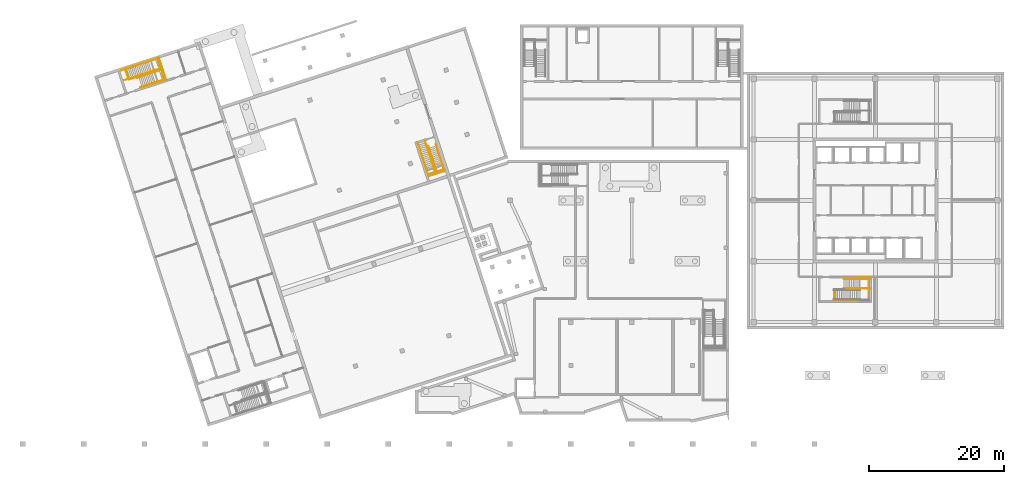
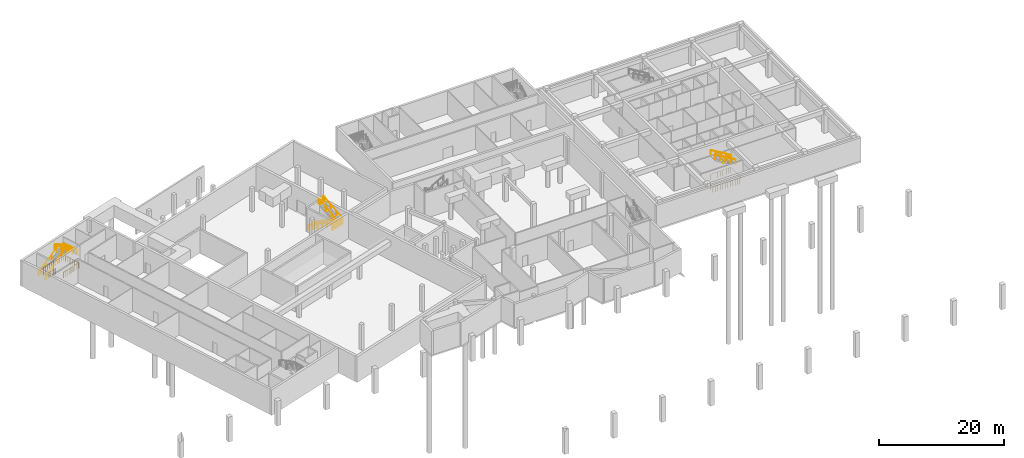
# One storey, part 13 of 15: 12 railings.
"""IFC4 building model written with IfcOpenShell, lengths in metres."""

from ifc_helpers import new_model, si_unit, direction, frame, origin, origin_2d, place, context, subcontext, project, spatial, circle, extrude, material, type_object, element, save


model = new_model("IFC4")

# Units and contexts
model_context = context("Model", 3, precision=1e-05, world=origin(), true_north=direction((0.0, 1.0)))
body_context = subcontext(model_context, "Body", "Model", "MODEL_VIEW")
ifc_project = project(units=[si_unit("LENGTHUNIT", "METRE"), si_unit("AREAUNIT", "SQUARE_METRE"), si_unit("VOLUMEUNIT", "CUBIC_METRE"), si_unit("PLANEANGLEUNIT", "RADIAN"), si_unit("MASSUNIT", "GRAM", prefix="KILO")], contexts=[model_context])

# Site, building, storey
site_placement = place(None, origin())
site = spatial("IfcSite", under=ifc_project, at=site_placement, CompositionType="ELEMENT")
building_placement = place(site_placement, origin())
building = spatial("IfcBuilding", under=site, at=building_placement, Name="Tuart Plaza Theatre", CompositionType="ELEMENT")
storey_placement = place(building_placement, frame((0.0, 0.0, -5.0)))
storey = spatial("IfcBuildingStorey", under=building, at=storey_placement, Name="B1", CompositionType="ELEMENT", Elevation=-5.0)

# Railings
ifc_material_1 = material(Name="Steel Grade C350L0", Category="steel")
railing_type_1 = type_object("IfcRailingType", Name="RAILING Guard 1100", PredefinedType="GUARDRAIL", material=ifc_material_1)
railing_1_placement = place(storey_placement, frame((27.197265625, 91.79248046875, 0.0)))
element("IfcRailing", 1, at=railing_1_placement, inside=storey, type_object=railing_type_1, Name="GR19", PredefinedType="GUARDRAIL", context=body_context, shape_type="SweptSolid", body=[
    extrude(circle(Radius=0.02490234375, at=origin_2d()), frame((0.0, 0.0, 1.0751953125), z_axis=(-0.951570542877, -0.307430483083, 0.0), x_axis=(0.307430483083, -0.951570542877, 0.0)), (0.0, 0.0, 1.0), 0.050048828125),
    extrude(circle(Radius=0.02490234375, at=origin_2d()), frame((-0.047607421875, -0.015380859375, 1.0751953125), z_axis=(-0.310120496179, 0.950697258779, 0.0), x_axis=(-0.950697258779, -0.310120496179, 0.0)), (0.0, 0.0, 1.0), 0.048095703125),
    extrude(circle(Radius=0.02490234375, at=origin_2d()), frame((-0.0625, 0.0302734375, 1.0751953125), z_axis=(-0.9510439537, -0.309055655393, 0.0), x_axis=(0.309055655393, -0.9510439537, 0.0)), (0.0, 0.0, 1.0), 3.6298828125),
    extrude(circle(Radius=0.02490234375, at=origin_2d()), frame((-3.5146484375, -1.091552734375, 1.0751953125), z_axis=(-0.316227766017, 0.948683298051, 0.0), x_axis=(-0.948683298051, -0.316227766017, 0.0)), (0.0, 0.0, 1.0), 0.02001953125),
    extrude(circle(Radius=0.02001953125, at=origin_2d()), origin(), (0.0, 0.0, 1.0), 1.050048828125),
    extrude(circle(Radius=0.02001953125, at=origin_2d()), frame((-0.047607421875, -0.015380859375, 0.0)), (0.0, 0.0, 1.0), 1.050048828125),
    extrude(circle(Radius=0.02001953125, at=origin_2d()), frame((-0.0625, 0.0302734375, 0.0)), (0.0, 0.0, 1.0), 1.050048828125),
    extrude(circle(Radius=0.02001953125, at=origin_2d()), frame((-0.494140625, -0.10986328125, 0.0)), (0.0, 0.0, 1.0), 1.050048828125),
    extrude(circle(Radius=0.02001953125, at=origin_2d()), frame((-0.925537109375, -0.250244140625, 0.0)), (0.0, 0.0, 1.0), 1.050048828125),
    extrude(circle(Radius=0.02001953125, at=origin_2d()), frame((-1.35693359375, -0.390380859375, 0.0)), (0.0, 0.0, 1.0), 1.050048828125),
    extrude(circle(Radius=0.02001953125, at=origin_2d()), frame((-1.78857421875, -0.53076171875, 0.0)), (0.0, 0.0, 1.0), 1.050048828125),
    extrude(circle(Radius=0.02001953125, at=origin_2d()), frame((-2.22021484375, -0.6708984375, 0.0)), (0.0, 0.0, 1.0), 1.050048828125),
    extrude(circle(Radius=0.02001953125, at=origin_2d()), frame((-2.651611328125, -0.81103515625, 0.0)), (0.0, 0.0, 1.0), 1.050048828125),
    extrude(circle(Radius=0.02001953125, at=origin_2d()), frame((-3.0830078125, -0.951416015625, 0.0)), (0.0, 0.0, 1.0), 1.050048828125),
    extrude(circle(Radius=0.02001953125, at=origin_2d()), frame((-3.5146484375, -1.091552734375, 0.0)), (0.0, 0.0, 1.0), 1.050048828125),
    extrude(circle(Radius=0.02001953125, at=origin_2d()), frame((-3.52099609375, -1.072509765625, 0.0)), (0.0, 0.0, 1.0), 1.050048828125),
])
railing_2_placement = place(storey_placement, frame((23.15234375, 92.316162109375, 0.0)))
element("IfcRailing", 2, at=railing_2_placement, inside=storey, type_object=railing_type_1, Name="GR20", PredefinedType="GUARDRAIL", context=body_context, shape_type="SweptSolid", body=[
    extrude(circle(Radius=0.02490234375, at=origin_2d()), frame((0.0, 0.0, 1.0751953125), z_axis=(-0.951058297536, -0.309011512226, 0.0), x_axis=(0.309011512226, -0.951058297536, 0.0)), (0.0, 0.0, 1.0), 1.554931640625),
    extrude(circle(Radius=0.02490234375, at=origin_2d()), frame((-1.478759765625, -0.48046875, 1.0751953125), z_axis=(-0.309072690513, 0.95103841772, 0.0), x_axis=(-0.95103841772, -0.309072690513, 0.0)), (0.0, 0.0, 1.0), 1.650146484375),
    extrude(circle(Radius=0.02490234375, at=origin_2d()), frame((-1.98876953125, 1.0888671875, 1.0751953125), z_axis=(0.951050844106, 0.309034451034, 0.0), x_axis=(-0.309034451034, 0.951050844106, 0.0)), (0.0, 0.0, 1.0), 5.240234375),
    extrude(circle(Radius=0.02490234375, at=origin_2d()), frame((2.994873046875, 2.708251953125, 1.0751953125), z_axis=(0.308998348193, -0.951062574605, 0.0), x_axis=(0.951062574605, 0.308998348193, 0.0)), (0.0, 0.0, 1.0), 3.398193359375),
    extrude(circle(Radius=0.02001953125, at=origin_2d()), origin(), (0.0, 0.0, 1.0), 1.050048828125),
    extrude(circle(Radius=0.02001953125, at=origin_2d()), frame((-0.36962890625, -0.1201171875, 0.0)), (0.0, 0.0, 1.0), 1.050048828125),
    extrude(circle(Radius=0.02001953125, at=origin_2d()), frame((-0.7392578125, -0.240234375, 0.0)), (0.0, 0.0, 1.0), 1.050048828125),
    extrude(circle(Radius=0.02001953125, at=origin_2d()), frame((-1.109130859375, -0.3603515625, 0.0)), (0.0, 0.0, 1.0), 1.050048828125),
    extrude(circle(Radius=0.02001953125, at=origin_2d()), frame((-1.478759765625, -0.48046875, 0.0)), (0.0, 0.0, 1.0), 1.050048828125),
    extrude(circle(Radius=0.02001953125, at=origin_2d()), frame((-1.606201171875, -0.088134765625, 0.0)), (0.0, 0.0, 1.0), 1.050048828125),
    extrude(circle(Radius=0.02001953125, at=origin_2d()), frame((-1.73388671875, 0.30419921875, 0.0)), (0.0, 0.0, 1.0), 1.050048828125),
    extrude(circle(Radius=0.02001953125, at=origin_2d()), frame((-1.861328125, 0.696533203125, 0.0)), (0.0, 0.0, 1.0), 1.050048828125),
    extrude(circle(Radius=0.02001953125, at=origin_2d()), frame((-1.98876953125, 1.0888671875, 0.0)), (0.0, 0.0, 1.0), 1.050048828125),
    extrude(circle(Radius=0.02001953125, at=origin_2d()), frame((-1.53564453125, 1.236083984375, 0.0)), (0.0, 0.0, 1.0), 1.050048828125),
    extrude(circle(Radius=0.02001953125, at=origin_2d()), frame((-1.082763671875, 1.38330078125, 0.0)), (0.0, 0.0, 1.0), 1.050048828125),
    extrude(circle(Radius=0.02001953125, at=origin_2d()), frame((-0.629638671875, 1.530517578125, 0.0)), (0.0, 0.0, 1.0), 1.050048828125),
    extrude(circle(Radius=0.02001953125, at=origin_2d()), frame((-0.176513671875, 1.677734375, 0.0)), (0.0, 0.0, 1.0), 1.050048828125),
    extrude(circle(Radius=0.02001953125, at=origin_2d()), frame((0.276611328125, 1.824951171875, 0.0)), (0.0, 0.0, 1.0), 1.050048828125),
    extrude(circle(Radius=0.02001953125, at=origin_2d()), frame((0.7294921875, 1.97216796875, 0.0)), (0.0, 0.0, 1.0), 1.050048828125),
    extrude(circle(Radius=0.02001953125, at=origin_2d()), frame((1.1826171875, 2.119384765625, 0.0)), (0.0, 0.0, 1.0), 1.050048828125),
    extrude(circle(Radius=0.02001953125, at=origin_2d()), frame((1.6357421875, 2.2666015625, 0.0)), (0.0, 0.0, 1.0), 1.050048828125),
    extrude(circle(Radius=0.02001953125, at=origin_2d()), frame((2.0888671875, 2.413818359375, 0.0)), (0.0, 0.0, 1.0), 1.050048828125),
    extrude(circle(Radius=0.02001953125, at=origin_2d()), frame((2.541748046875, 2.56103515625, 0.0)), (0.0, 0.0, 1.0), 1.050048828125),
    extrude(circle(Radius=0.02001953125, at=origin_2d()), frame((2.994873046875, 2.708251953125, 0.0)), (0.0, 0.0, 1.0), 1.050048828125),
    extrude(circle(Radius=0.02001953125, at=origin_2d()), frame((3.144775390625, 2.24658203125, 0.0)), (0.0, 0.0, 1.0), 1.050048828125),
    extrude(circle(Radius=0.02001953125, at=origin_2d()), frame((3.294921875, 1.784912109375, 0.0)), (0.0, 0.0, 1.0), 1.050048828125),
    extrude(circle(Radius=0.02001953125, at=origin_2d()), frame((3.44482421875, 1.3232421875, 0.0)), (0.0, 0.0, 1.0), 1.050048828125),
    extrude(circle(Radius=0.02001953125, at=origin_2d()), frame((3.594970703125, 0.861328125, 0.0)), (0.0, 0.0, 1.0), 1.050048828125),
    extrude(circle(Radius=0.02001953125, at=origin_2d()), frame((3.744873046875, 0.399658203125, 0.0)), (0.0, 0.0, 1.0), 1.050048828125),
    extrude(circle(Radius=0.02001953125, at=origin_2d()), frame((3.89501953125, -0.06201171875, 0.0)), (0.0, 0.0, 1.0), 1.050048828125),
    extrude(circle(Radius=0.02001953125, at=origin_2d()), frame((4.044921875, -0.523681640625, 0.0)), (0.0, 0.0, 1.0), 1.050048828125),
])
railing_3_placement = place(storey_placement, frame((26.13671875, 94.894775390625, 2.5)))
element("IfcRailing", 3, at=railing_3_placement, inside=storey, type_object=railing_type_1, Name="GR24", PredefinedType="GUARDRAIL", context=body_context, shape_type="SweptSolid", body=[
    extrude(circle(Radius=0.02490234375, at=origin_2d()), frame((0.0, 0.0, 1.0751953125), z_axis=(0.308988441001, -0.951065793375, 0.0), x_axis=(0.951065793375, 0.308988441001, 0.0)), (0.0, 0.0, 1.0), 3.10986328125),
    extrude(circle(Radius=0.02001953125, at=origin_2d()), origin(), (0.0, 0.0, 1.0), 1.050048828125),
    extrude(circle(Radius=0.02001953125, at=origin_2d()), frame((0.13720703125, -0.422607421875, 0.0)), (0.0, 0.0, 1.0), 1.050048828125),
    extrude(circle(Radius=0.02001953125, at=origin_2d()), frame((0.274658203125, -0.844970703125, 0.0)), (0.0, 0.0, 1.0), 1.050048828125),
    extrude(circle(Radius=0.02001953125, at=origin_2d()), frame((0.411865234375, -1.267578125, 0.0)), (0.0, 0.0, 1.0), 1.050048828125),
    extrude(circle(Radius=0.02001953125, at=origin_2d()), frame((0.549072265625, -1.690185546875, 0.0)), (0.0, 0.0, 1.0), 1.050048828125),
    extrude(circle(Radius=0.02001953125, at=origin_2d()), frame((0.686279296875, -2.11279296875, 0.0)), (0.0, 0.0, 1.0), 1.050048828125),
    extrude(circle(Radius=0.02001953125, at=origin_2d()), frame((0.82373046875, -2.53515625, 0.0)), (0.0, 0.0, 1.0), 1.050048828125),
    extrude(circle(Radius=0.02001953125, at=origin_2d()), frame((0.9609375, -2.957763671875, 0.0)), (0.0, 0.0, 1.0), 1.050048828125),
])
railing_4_placement = place(storey_placement, frame((66.015380859375, 77.559326171875, 2.5)))
element("IfcRailing", 4, at=railing_4_placement, inside=storey, type_object=railing_type_1, Name="GR98", PredefinedType="GUARDRAIL", context=body_context, shape_type="SweptSolid", body=[
    extrude(circle(Radius=0.02490234375, at=origin_2d()), frame((0.0, 0.0, 1.0751953125), z_axis=(0.95106206269, 0.308999923805, 0.0), x_axis=(-0.308999923805, 0.95106206269, 0.0)), (0.0, 0.0, 1.0), 2.43505859375),
    extrude(circle(Radius=0.02001953125, at=origin_2d()), origin(), (0.0, 0.0, 1.0), 1.050048828125),
    extrude(circle(Radius=0.02001953125, at=origin_2d()), frame((0.463134765625, 0.150390625, 0.0)), (0.0, 0.0, 1.0), 1.050048828125),
    extrude(circle(Radius=0.02001953125, at=origin_2d()), frame((0.92626953125, 0.301025390625, 0.0)), (0.0, 0.0, 1.0), 1.050048828125),
    extrude(circle(Radius=0.02001953125, at=origin_2d()), frame((1.3896484375, 0.451416015625, 0.0)), (0.0, 0.0, 1.0), 1.050048828125),
    extrude(circle(Radius=0.02001953125, at=origin_2d()), frame((1.852783203125, 0.60205078125, 0.0)), (0.0, 0.0, 1.0), 1.050048828125),
    extrude(circle(Radius=0.02001953125, at=origin_2d()), frame((2.31591796875, 0.75244140625, 0.0)), (0.0, 0.0, 1.0), 1.050048828125),
])
railing_5_placement = place(storey_placement, frame((127.389892578125, 62.455078125, 0.0)))
element("IfcRailing", 5, at=railing_5_placement, inside=storey, type_object=railing_type_1, Name="GR438", PredefinedType="GUARDRAIL", context=body_context, shape_type="SweptSolid", body=[
    extrude(circle(Radius=0.02490234375, at=origin_2d()), frame((0.0, 0.0, 1.0751953125), z_axis=(0.0, 1.0, 0.0), x_axis=(-1.0, 0.0, 0.0)), (0.0, 0.0, 1.0), 0.044921875),
    extrude(circle(Radius=0.02490234375, at=origin_2d()), frame((0.0, 0.044921875, 1.0751953125), z_axis=(1.0, 0.0, 0.0), x_axis=(0.0, 1.0, 0.0)), (0.0, 0.0, 1.0), 2.260009765625),
    extrude(circle(Radius=0.02490234375, at=origin_2d()), frame((2.260009765625, 0.044921875, 1.0751953125), z_axis=(0.0, 1.0, 0.0), x_axis=(-1.0, 0.0, 0.0)), (0.0, 0.0, 1.0), 0.074951171875),
    extrude(circle(Radius=0.02490234375, at=origin_2d()), frame((2.260009765625, 0.119873046875, 1.0751953125), z_axis=(1.0, 0.0, 0.0), x_axis=(0.0, 1.0, 0.0)), (0.0, 0.0, 1.0), 1.550048828125),
    extrude(circle(Radius=0.02490234375, at=origin_2d()), frame((3.81005859375, 0.119873046875, 1.0751953125), z_axis=(0.0, -1.0, 0.0), x_axis=(1.0, 0.0, 0.0)), (0.0, 0.0, 1.0), 3.39990234375),
    extrude(circle(Radius=0.02490234375, at=origin_2d()), frame((3.81005859375, -3.280029296875, 1.0751953125), z_axis=(-1.0, 0.0, 0.0), x_axis=(0.0, -1.0, 0.0)), (0.0, 0.0, 1.0), 1.550048828125),
    extrude(circle(Radius=0.02490234375, at=origin_2d()), frame((2.260009765625, -3.280029296875, 1.0751953125), z_axis=(0.0, 1.0, 0.0), x_axis=(-1.0, 0.0, 0.0)), (0.0, 0.0, 1.0), 0.074951171875),
    extrude(circle(Radius=0.02490234375, at=origin_2d()), frame((2.260009765625, -3.205078125, 1.0751953125), z_axis=(-1.0, 0.0, 0.0), x_axis=(0.0, -1.0, 0.0)), (0.0, 0.0, 1.0), 3.719970703125),
    extrude(circle(Radius=0.02490234375, at=origin_2d()), frame((-1.4599609375, -3.205078125, 1.0751953125), z_axis=(0.0, 1.0, 0.0), x_axis=(-1.0, 0.0, 0.0)), (0.0, 0.0, 1.0), 1.625),
    extrude(circle(Radius=0.02001953125, at=origin_2d()), origin(), (0.0, 0.0, 1.0), 1.050048828125),
    extrude(circle(Radius=0.02001953125, at=origin_2d()), frame((0.0, 0.044921875, 0.0)), (0.0, 0.0, 1.0), 1.050048828125),
    extrude(circle(Radius=0.02001953125, at=origin_2d()), frame((0.451904296875, 0.044921875, 0.0)), (0.0, 0.0, 1.0), 1.050048828125),
    extrude(circle(Radius=0.02001953125, at=origin_2d()), frame((0.904052734375, 0.044921875, 0.0)), (0.0, 0.0, 1.0), 1.050048828125),
    extrude(circle(Radius=0.02001953125, at=origin_2d()), frame((1.35595703125, 0.044921875, 0.0)), (0.0, 0.0, 1.0), 1.050048828125),
    extrude(circle(Radius=0.02001953125, at=origin_2d()), frame((1.80810546875, 0.044921875, 0.0)), (0.0, 0.0, 1.0), 1.050048828125),
    extrude(circle(Radius=0.02001953125, at=origin_2d()), frame((2.260009765625, 0.044921875, 0.0)), (0.0, 0.0, 1.0), 1.050048828125),
    extrude(circle(Radius=0.02001953125, at=origin_2d()), frame((2.260009765625, 0.119873046875, 0.0)), (0.0, 0.0, 1.0), 1.050048828125),
    extrude(circle(Radius=0.02001953125, at=origin_2d()), frame((2.6474609375, 0.119873046875, 0.0)), (0.0, 0.0, 1.0), 1.050048828125),
    extrude(circle(Radius=0.02001953125, at=origin_2d()), frame((3.03515625, 0.119873046875, 0.0)), (0.0, 0.0, 1.0), 1.050048828125),
    extrude(circle(Radius=0.02001953125, at=origin_2d()), frame((3.422607421875, 0.119873046875, 0.0)), (0.0, 0.0, 1.0), 1.050048828125),
    extrude(circle(Radius=0.02001953125, at=origin_2d()), frame((3.81005859375, 0.119873046875, 0.0)), (0.0, 0.0, 1.0), 1.050048828125),
    extrude(circle(Radius=0.02001953125, at=origin_2d()), frame((3.81005859375, -0.36572265625, 0.0)), (0.0, 0.0, 1.0), 1.050048828125),
    extrude(circle(Radius=0.02001953125, at=origin_2d()), frame((3.81005859375, -0.8515625, 0.0)), (0.0, 0.0, 1.0), 1.050048828125),
    extrude(circle(Radius=0.02001953125, at=origin_2d()), frame((3.81005859375, -1.337158203125, 0.0)), (0.0, 0.0, 1.0), 1.050048828125),
    extrude(circle(Radius=0.02001953125, at=origin_2d()), frame((3.81005859375, -1.822998046875, 0.0)), (0.0, 0.0, 1.0), 1.050048828125),
    extrude(circle(Radius=0.02001953125, at=origin_2d()), frame((3.81005859375, -2.30859375, 0.0)), (0.0, 0.0, 1.0), 1.050048828125),
    extrude(circle(Radius=0.02001953125, at=origin_2d()), frame((3.81005859375, -2.79443359375, 0.0)), (0.0, 0.0, 1.0), 1.050048828125),
    extrude(circle(Radius=0.02001953125, at=origin_2d()), frame((3.81005859375, -3.280029296875, 0.0)), (0.0, 0.0, 1.0), 1.050048828125),
    extrude(circle(Radius=0.02001953125, at=origin_2d()), frame((3.422607421875, -3.280029296875, 0.0)), (0.0, 0.0, 1.0), 1.050048828125),
    extrude(circle(Radius=0.02001953125, at=origin_2d()), frame((3.03515625, -3.280029296875, 0.0)), (0.0, 0.0, 1.0), 1.050048828125),
    extrude(circle(Radius=0.02001953125, at=origin_2d()), frame((2.6474609375, -3.280029296875, 0.0)), (0.0, 0.0, 1.0), 1.050048828125),
    extrude(circle(Radius=0.02001953125, at=origin_2d()), frame((2.260009765625, -3.280029296875, 0.0)), (0.0, 0.0, 1.0), 1.050048828125),
    extrude(circle(Radius=0.02001953125, at=origin_2d()), frame((2.260009765625, -3.205078125, 0.0)), (0.0, 0.0, 1.0), 1.050048828125),
    extrude(circle(Radius=0.02001953125, at=origin_2d()), frame((1.794921875, -3.205078125, 0.0)), (0.0, 0.0, 1.0), 1.050048828125),
    extrude(circle(Radius=0.02001953125, at=origin_2d()), frame((1.330078125, -3.205078125, 0.0)), (0.0, 0.0, 1.0), 1.050048828125),
    extrude(circle(Radius=0.02001953125, at=origin_2d()), frame((0.864990234375, -3.205078125, 0.0)), (0.0, 0.0, 1.0), 1.050048828125),
    extrude(circle(Radius=0.02001953125, at=origin_2d()), frame((0.39990234375, -3.205078125, 0.0)), (0.0, 0.0, 1.0), 1.050048828125),
    extrude(circle(Radius=0.02001953125, at=origin_2d()), frame((-0.06494140625, -3.205078125, 0.0)), (0.0, 0.0, 1.0), 1.050048828125),
    extrude(circle(Radius=0.02001953125, at=origin_2d()), frame((-0.530029296875, -3.205078125, 0.0)), (0.0, 0.0, 1.0), 1.050048828125),
    extrude(circle(Radius=0.02001953125, at=origin_2d()), frame((-0.994873046875, -3.205078125, 0.0)), (0.0, 0.0, 1.0), 1.050048828125),
    extrude(circle(Radius=0.02001953125, at=origin_2d()), frame((-1.4599609375, -3.205078125, 0.0)), (0.0, 0.0, 1.0), 1.050048828125),
    extrude(circle(Radius=0.02001953125, at=origin_2d()), frame((-1.4599609375, -2.798828125, 0.0)), (0.0, 0.0, 1.0), 1.050048828125),
    extrude(circle(Radius=0.02001953125, at=origin_2d()), frame((-1.4599609375, -2.392578125, 0.0)), (0.0, 0.0, 1.0), 1.050048828125),
    extrude(circle(Radius=0.02001953125, at=origin_2d()), frame((-1.4599609375, -1.986328125, 0.0)), (0.0, 0.0, 1.0), 1.050048828125),
    extrude(circle(Radius=0.02001953125, at=origin_2d()), frame((-1.4599609375, -1.580078125, 0.0)), (0.0, 0.0, 1.0), 1.050048828125),
])
railing_6_placement = place(storey_placement, frame((131.080078125, 62.449951171875, 2.5)))
element("IfcRailing", 6, at=railing_6_placement, inside=storey, type_object=railing_type_1, Name="GR444", PredefinedType="GUARDRAIL", context=body_context, shape_type="SweptSolid", body=[
    extrude(circle(Radius=0.02490234375, at=origin_2d()), frame((0.0, 0.0, 1.0751953125), z_axis=(-1.0, 0.0, 0.0), x_axis=(0.0, -1.0, 0.0)), (0.0, 0.0, 1.0), 1.380126953125),
    extrude(circle(Radius=0.02001953125, at=origin_2d()), origin(), (0.0, 0.0, 1.0), 1.050048828125),
    extrude(circle(Radius=0.02001953125, at=origin_2d()), frame((-0.4599609375, 0.0, 0.0)), (0.0, 0.0, 1.0), 1.050048828125),
    extrude(circle(Radius=0.02001953125, at=origin_2d()), frame((-0.920166015625, 0.0, 0.0)), (0.0, 0.0, 1.0), 1.050048828125),
    extrude(circle(Radius=0.02001953125, at=origin_2d()), frame((-1.380126953125, 0.0, 0.0)), (0.0, 0.0, 1.0), 1.050048828125),
])
ifc_material_2 = material(Name="Steel Grade C350L0", Category="steel")
railing_type_2 = type_object("IfcRailingType", Name="RAILING Handrail 900", PredefinedType="HANDRAIL", material=ifc_material_2)
railing_7_placement = place(storey_placement, frame((21.007080078125, 91.750732421875, 0.0)))
element("IfcRailing", 7, at=railing_7_placement, inside=storey, type_object=railing_type_2, Name="HR15", PredefinedType="HANDRAIL", context=body_context, shape_type="SweptSolid", body=[
    extrude(circle(Radius=0.0224609375, at=origin_2d()), frame((0.0, 0.0, 0.87744140625), z_axis=(0.91641792704, 0.297502654672, 0.267713192544), x_axis=(-0.308773297186, 0.951135663796, 0.0)), (0.0, 0.0, 1.0), 0.622802734375),
    extrude(circle(Radius=0.0224609375, at=origin_2d()), frame((0.57080078125, 0.185302734375, 1.044189453125), z_axis=(0.80065959676, 0.260204487049, 0.539664557884), x_axis=(-0.309075455797, 0.951037519041, 0.0)), (0.0, 0.0, 1.0), 4.323486328125),
    extrude(circle(Radius=0.0224609375, at=origin_2d()), frame((4.032470703125, 1.310302734375, 3.37744140625), z_axis=(0.951096241278, 0.308894706699, 0.0), x_axis=(-0.308894706699, 0.951096241278, 0.0)), (0.0, 0.0, 1.0), 1.5),
    extrude(circle(Radius=0.0224609375, at=origin_2d()), frame((5.459228515625, 1.773681640625, 3.37744140625), z_axis=(0.226783790612, -0.699010797647, 0.678198361166), x_axis=(0.951191832008, 0.308600224758, 0.0)), (0.0, 0.0, 1.0), 0.340087890625),
    extrude(circle(Radius=0.0224609375, at=origin_2d()), frame((5.536376953125, 1.535888671875, 3.608154296875), z_axis=(-0.80067379329, -0.26011737447, 0.539685490111), x_axis=(0.308976906612, -0.951069540665, 0.0)), (0.0, 0.0, 1.0), 4.204833984375),
    extrude(circle(Radius=0.0224609375, at=origin_2d()), frame((2.169677734375, 0.442138671875, 5.87744140625), z_axis=(-0.951016131768, -0.309141257546, 0.0), x_axis=(0.309141257546, -0.951016131768, 0.0)), (0.0, 0.0, 1.0), 0.300048828125),
    extrude(circle(Radius=0.01513671875, at=origin_2d()), origin(), (0.0, 0.0, 1.0), 0.85498046875),
    extrude(circle(Radius=0.01513671875, at=origin_2d()), frame((0.57080078125, 0.185302734375, 0.166748046875)), (0.0, 0.0, 1.0), 0.85498046875),
    extrude(circle(Radius=0.01513671875, at=origin_2d()), frame((1.724609375, 0.560302734375, 0.944580078125)), (0.0, 0.0, 1.0), 0.85498046875),
    extrude(circle(Radius=0.01513671875, at=origin_2d()), frame((2.878662109375, 0.935302734375, 1.72216796875)), (0.0, 0.0, 1.0), 0.85498046875),
    extrude(circle(Radius=0.01513671875, at=origin_2d()), frame((4.032470703125, 1.310302734375, 2.5)), (0.0, 0.0, 1.0), 0.85498046875),
    extrude(circle(Radius=0.01513671875, at=origin_2d()), frame((4.745849609375, 1.5419921875, 2.5)), (0.0, 0.0, 1.0), 0.85498046875),
    extrude(circle(Radius=0.01513671875, at=origin_2d()), frame((5.459228515625, 1.773681640625, 2.5)), (0.0, 0.0, 1.0), 0.85498046875),
    extrude(circle(Radius=0.01513671875, at=origin_2d()), frame((5.536376953125, 1.535888671875, 2.730712890625)), (0.0, 0.0, 1.0), 0.85498046875),
    extrude(circle(Radius=0.01513671875, at=origin_2d()), frame((4.4140625, 1.17138671875, 3.487060546875)), (0.0, 0.0, 1.0), 0.85498046875),
    extrude(circle(Radius=0.01513671875, at=origin_2d()), frame((3.2919921875, 0.806640625, 4.24365234375)), (0.0, 0.0, 1.0), 0.85498046875),
    extrude(circle(Radius=0.01513671875, at=origin_2d()), frame((2.169677734375, 0.442138671875, 5.0)), (0.0, 0.0, 1.0), 0.85498046875),
    extrude(circle(Radius=0.01513671875, at=origin_2d()), frame((1.88427734375, 0.349365234375, 5.0)), (0.0, 0.0, 1.0), 0.85498046875),
])
railing_8_placement = place(storey_placement, frame((20.543701171875, 93.17724609375, 0.0)))
element("IfcRailing", 8, at=railing_8_placement, inside=storey, type_object=railing_type_2, Name="HR16", PredefinedType="HANDRAIL", context=body_context, shape_type="SweptSolid", body=[
    extrude(circle(Radius=0.0224609375, at=origin_2d()), frame((0.0, 0.0, 0.87744140625), z_axis=(0.916248123003, 0.297966869269, 0.267778120672), x_axis=(-0.309260889552, 0.950977235371, 0.0)), (0.0, 0.0, 1.0), 0.622802734375),
    extrude(circle(Radius=0.0224609375, at=origin_2d()), frame((0.570556640625, 0.185546875, 1.044189453125), z_axis=(0.80069162673, 0.260140079291, 0.539648087211), x_axis=(-0.308995076085, 0.9510636377, 0.0)), (0.0, 0.0, 1.0), 4.32373046875),
    extrude(circle(Radius=0.0224609375, at=origin_2d()), frame((4.032470703125, 1.310302734375, 3.37744140625), z_axis=(0.951080708969, 0.308942527062, 0.0), x_axis=(-0.308942527062, 0.951080708969, 0.0)), (0.0, 0.0, 1.0), 1.5),
    extrude(circle(Radius=0.0224609375, at=origin_2d()), frame((5.458984375, 1.773681640625, 3.37744140625), z_axis=(0.308276276911, -0.94865767275, 0.070812124862), x_axis=(0.951045109239, 0.309052099479, 0.0)), (0.0, 0.0, 1.0), 3.258056640625),
    extrude(circle(Radius=0.0224609375, at=origin_2d()), frame((6.46337890625, -1.317138671875, 3.608154296875), z_axis=(-0.800661699709, -0.260171506628, 0.539677338564), x_axis=(0.309039288522, -0.951049272199, 0.0)), (0.0, 0.0, 1.0), 4.204833984375),
    extrude(circle(Radius=0.0224609375, at=origin_2d()), frame((3.0966796875, -2.4111328125, 5.87744140625), z_axis=(-0.951255083436, -0.308405198137, 0.0), x_axis=(0.308405198137, -0.951255083436, 0.0)), (0.0, 0.0, 1.0), 0.300048828125),
    extrude(circle(Radius=0.01513671875, at=origin_2d()), origin(), (0.0, 0.0, 1.0), 0.85498046875),
    extrude(circle(Radius=0.01513671875, at=origin_2d()), frame((0.570556640625, 0.185546875, 0.166748046875)), (0.0, 0.0, 1.0), 0.85498046875),
    extrude(circle(Radius=0.01513671875, at=origin_2d()), frame((1.724609375, 0.560546875, 0.944580078125)), (0.0, 0.0, 1.0), 0.85498046875),
    extrude(circle(Radius=0.01513671875, at=origin_2d()), frame((2.87841796875, 0.935302734375, 1.72216796875)), (0.0, 0.0, 1.0), 0.85498046875),
    extrude(circle(Radius=0.01513671875, at=origin_2d()), frame((4.032470703125, 1.310302734375, 2.5)), (0.0, 0.0, 1.0), 0.85498046875),
    extrude(circle(Radius=0.01513671875, at=origin_2d()), frame((5.458984375, 1.773681640625, 2.5)), (0.0, 0.0, 1.0), 0.85498046875),
    extrude(circle(Radius=0.01513671875, at=origin_2d()), frame((5.793701171875, 0.743408203125, 2.576904296875)), (0.0, 0.0, 1.0), 0.85498046875),
    extrude(circle(Radius=0.01513671875, at=origin_2d()), frame((6.128662109375, -0.286865234375, 2.65380859375)), (0.0, 0.0, 1.0), 0.85498046875),
    extrude(circle(Radius=0.01513671875, at=origin_2d()), frame((6.46337890625, -1.317138671875, 2.730712890625)), (0.0, 0.0, 1.0), 0.85498046875),
    extrude(circle(Radius=0.01513671875, at=origin_2d()), frame((5.341064453125, -1.681884765625, 3.487060546875)), (0.0, 0.0, 1.0), 0.85498046875),
    extrude(circle(Radius=0.01513671875, at=origin_2d()), frame((4.218994140625, -2.04638671875, 4.24365234375)), (0.0, 0.0, 1.0), 0.85498046875),
    extrude(circle(Radius=0.01513671875, at=origin_2d()), frame((3.0966796875, -2.4111328125, 5.0)), (0.0, 0.0, 1.0), 0.85498046875),
    extrude(circle(Radius=0.01513671875, at=origin_2d()), frame((2.811279296875, -2.503662109375, 5.0)), (0.0, 0.0, 1.0), 0.85498046875),
])
railing_9_placement = place(storey_placement, frame((65.46923828125, 82.77587890625, 0.166748046875)))
element("IfcRailing", 9, at=railing_9_placement, inside=storey, type_object=railing_type_2, Name="HR53", PredefinedType="HANDRAIL", context=body_context, shape_type="SweptSolid", body=[
    extrude(circle(Radius=0.0224609375, at=origin_2d()), frame((0.0, 0.0, 0.87744140625), z_axis=(0.265510344279, -0.817243087509, 0.511486063348), x_axis=(0.951066103084, 0.308987487715, 0.0)), (0.0, 0.0, 1.0), 4.561767578125),
    extrude(circle(Radius=0.0224609375, at=origin_2d()), frame((1.211181640625, -3.72802734375, 3.210693359375), z_axis=(0.309161347536, -0.951009600998, 0.0), x_axis=(0.951009600998, 0.309161347536, 0.0)), (0.0, 0.0, 1.0), 1.10009765625),
    extrude(circle(Radius=0.0224609375, at=origin_2d()), frame((1.55126953125, -4.774169921875, 3.210693359375), z_axis=(0.705499316443, 0.228888895273, 0.670731382984), x_axis=(-0.308600224758, 0.951191832008, 0.0)), (0.0, 0.0, 1.0), 0.337158203125),
    extrude(circle(Radius=0.0224609375, at=origin_2d()), frame((1.7890625, -4.697021484375, 3.436767578125), z_axis=(-0.265577357934, 0.817216018075, 0.511494522703), x_axis=(-0.951040174107, -0.309067285934, 0.0)), (0.0, 0.0, 1.0), 4.445556640625),
    extrude(circle(Radius=0.0224609375, at=origin_2d()), frame((0.6083984375, -1.06396484375, 5.710693359375), z_axis=(-0.308405198137, 0.951255083436, 0.0), x_axis=(-0.951255083436, -0.308405198137, 0.0)), (0.0, 0.0, 1.0), 0.300048828125),
    extrude(circle(Radius=0.01513671875, at=origin_2d()), origin(), (0.0, 0.0, 1.0), 0.85498046875),
    extrude(circle(Radius=0.01513671875, at=origin_2d()), frame((0.302734375, -0.93212890625, 0.583251953125)), (0.0, 0.0, 1.0), 0.85498046875),
    extrude(circle(Radius=0.01513671875, at=origin_2d()), frame((0.60546875, -1.864013671875, 1.16650390625)), (0.0, 0.0, 1.0), 0.85498046875),
    extrude(circle(Radius=0.01513671875, at=origin_2d()), frame((0.908447265625, -2.7958984375, 1.75)), (0.0, 0.0, 1.0), 0.85498046875),
    extrude(circle(Radius=0.01513671875, at=origin_2d()), frame((1.211181640625, -3.72802734375, 2.333251953125)), (0.0, 0.0, 1.0), 0.85498046875),
    extrude(circle(Radius=0.01513671875, at=origin_2d()), frame((1.55126953125, -4.774169921875, 2.333251953125)), (0.0, 0.0, 1.0), 0.85498046875),
    extrude(circle(Radius=0.01513671875, at=origin_2d()), frame((1.7890625, -4.697021484375, 2.559326171875)), (0.0, 0.0, 1.0), 0.85498046875),
    extrude(circle(Radius=0.01513671875, at=origin_2d()), frame((1.3955078125, -3.486083984375, 3.3173828125)), (0.0, 0.0, 1.0), 0.85498046875),
    extrude(circle(Radius=0.01513671875, at=origin_2d()), frame((1.001953125, -2.27490234375, 4.0751953125)), (0.0, 0.0, 1.0), 0.85498046875),
    extrude(circle(Radius=0.01513671875, at=origin_2d()), frame((0.6083984375, -1.06396484375, 4.833251953125)), (0.0, 0.0, 1.0), 0.85498046875),
    extrude(circle(Radius=0.01513671875, at=origin_2d()), frame((0.515869140625, -0.778564453125, 4.833251953125)), (0.0, 0.0, 1.0), 0.85498046875),
])
railing_10_placement = place(storey_placement, frame((64.423095703125, 82.43603515625, 0.166748046875)))
element("IfcRailing", 10, at=railing_10_placement, inside=storey, type_object=railing_type_2, Name="HR54", PredefinedType="HANDRAIL", context=body_context, shape_type="SweptSolid", body=[
    extrude(circle(Radius=0.0224609375, at=origin_2d()), frame((0.0, 0.0, 0.87744140625), z_axis=(0.265510344279, -0.817243087509, 0.511486063348), x_axis=(0.951066103084, 0.308987487715, 0.0)), (0.0, 0.0, 1.0), 4.561767578125),
    extrude(circle(Radius=0.0224609375, at=origin_2d()), frame((1.211181640625, -3.72802734375, 3.210693359375), z_axis=(0.309096107025, -0.951030807399, 0.0), x_axis=(0.951030807399, 0.309096107025, 0.0)), (0.0, 0.0, 1.0), 1.100341796875),
    extrude(circle(Radius=0.0224609375, at=origin_2d()), frame((1.55126953125, -4.7744140625, 3.210693359375), z_axis=(0.947034141024, 0.307706713256, 0.091885332627), x_axis=(-0.309013967595, 0.95105749975, 0.0)), (0.0, 0.0, 1.0), 2.46044921875),
    extrude(circle(Radius=0.0224609375, at=origin_2d()), frame((3.88134765625, -4.017333984375, 3.436767578125), z_axis=(-0.265577357934, 0.817216018075, 0.511494522703), x_axis=(-0.951040174107, -0.309067285934, 0.0)), (0.0, 0.0, 1.0), 4.445556640625),
    extrude(circle(Radius=0.0224609375, at=origin_2d()), frame((2.70068359375, -0.38427734375, 5.710693359375), z_axis=(-0.308405198137, 0.951255083436, 0.0), x_axis=(-0.951255083436, -0.308405198137, 0.0)), (0.0, 0.0, 1.0), 0.300048828125),
    extrude(circle(Radius=0.01513671875, at=origin_2d()), origin(), (0.0, 0.0, 1.0), 0.85498046875),
    extrude(circle(Radius=0.01513671875, at=origin_2d()), frame((0.302734375, -0.93212890625, 0.583251953125)), (0.0, 0.0, 1.0), 0.85498046875),
    extrude(circle(Radius=0.01513671875, at=origin_2d()), frame((0.60546875, -1.864013671875, 1.16650390625)), (0.0, 0.0, 1.0), 0.85498046875),
    extrude(circle(Radius=0.01513671875, at=origin_2d()), frame((0.908447265625, -2.7958984375, 1.75)), (0.0, 0.0, 1.0), 0.85498046875),
    extrude(circle(Radius=0.01513671875, at=origin_2d()), frame((1.211181640625, -3.72802734375, 2.333251953125)), (0.0, 0.0, 1.0), 0.85498046875),
    extrude(circle(Radius=0.01513671875, at=origin_2d()), frame((1.55126953125, -4.7744140625, 2.333251953125)), (0.0, 0.0, 1.0), 0.85498046875),
    extrude(circle(Radius=0.01513671875, at=origin_2d()), frame((2.71630859375, -4.39599609375, 2.4462890625)), (0.0, 0.0, 1.0), 0.85498046875),
    extrude(circle(Radius=0.01513671875, at=origin_2d()), frame((3.88134765625, -4.017333984375, 2.559326171875)), (0.0, 0.0, 1.0), 0.85498046875),
    extrude(circle(Radius=0.01513671875, at=origin_2d()), frame((3.48779296875, -2.806396484375, 3.3173828125)), (0.0, 0.0, 1.0), 0.85498046875),
    extrude(circle(Radius=0.01513671875, at=origin_2d()), frame((3.09423828125, -1.59521484375, 4.0751953125)), (0.0, 0.0, 1.0), 0.85498046875),
    extrude(circle(Radius=0.01513671875, at=origin_2d()), frame((2.70068359375, -0.38427734375, 4.833251953125)), (0.0, 0.0, 1.0), 0.85498046875),
    extrude(circle(Radius=0.01513671875, at=origin_2d()), frame((2.608154296875, -0.098876953125, 4.833251953125)), (0.0, 0.0, 1.0), 0.85498046875),
])
for number, where, name in (
    (11, (131.219970703125, 61.0, 2.666748046875), "HR313"),
    (12, (131.219970703125, 62.39990234375, 2.666748046875), "HR314"),
):
    element("IfcRailing", number, at=place(storey_placement, frame(where)), inside=storey, type_object=railing_type_2, Name=name, PredefinedType="HANDRAIL", context=body_context, shape_type="SweptSolid", body=[
        extrude(circle(Radius=0.0224609375, at=origin_2d()), frame((0.0, 0.0, 0.87744140625), z_axis=(-0.855197103107, 0.0, 0.518302918029), x_axis=(0.0, -1.0, 0.0)), (0.0, 0.0, 1.0), 4.501708984375),
        extrude(circle(Radius=0.01513671875, at=origin_2d()), origin(), (0.0, 0.0, 1.0), 0.85498046875),
        extrude(circle(Radius=0.01513671875, at=origin_2d()), frame((-0.96240234375, 0.0, 0.583251953125)), (0.0, 0.0, 1.0), 0.85498046875),
        extrude(circle(Radius=0.01513671875, at=origin_2d()), frame((-1.9248046875, 0.0, 1.16650390625)), (0.0, 0.0, 1.0), 0.85498046875),
        extrude(circle(Radius=0.01513671875, at=origin_2d()), frame((-2.887451171875, 0.0, 1.75)), (0.0, 0.0, 1.0), 0.85498046875),
        extrude(circle(Radius=0.01513671875, at=origin_2d()), frame((-3.849853515625, 0.0, 2.333251953125)), (0.0, 0.0, 1.0), 0.85498046875),
    ])

save(model, "model.ifc")
